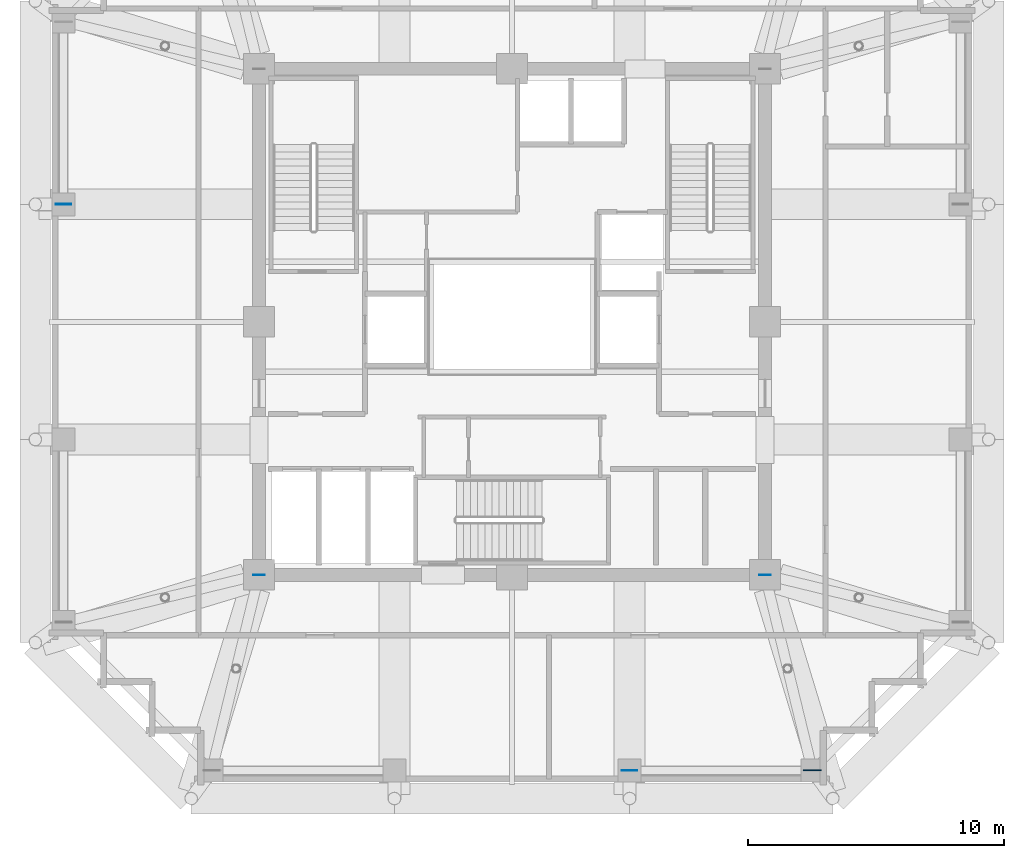
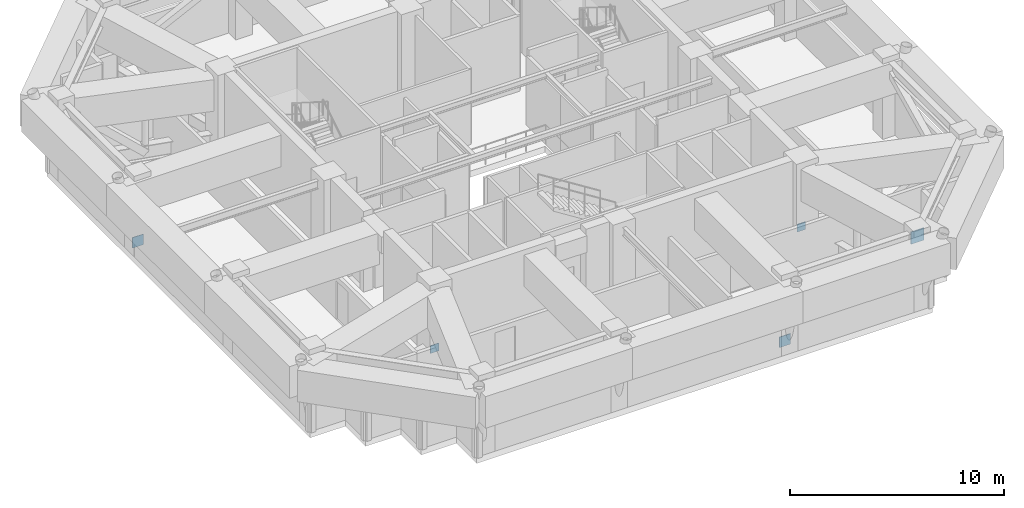
# One storey, part 7 of 12: 5 plates.
"""IFC4 building model written with IfcOpenShell, lengths in metres."""

from ifc_helpers import new_model, si_unit, direction, frame, origin, origin_2d, place, context, subcontext, project, spatial, rectangle, extrude, material, layer, layer_set, type_object, element, save


model = new_model("IFC4")

# Units and contexts
model_context = context("Model", 3, precision=1e-05, world=origin(), true_north=direction((0.0, 1.0)))
body_context = subcontext(model_context, "Body", "Model", "MODEL_VIEW")
ifc_project = project(units=[si_unit("LENGTHUNIT", "METRE"), si_unit("AREAUNIT", "SQUARE_METRE"), si_unit("VOLUMEUNIT", "CUBIC_METRE"), si_unit("PLANEANGLEUNIT", "RADIAN"), si_unit("MASSUNIT", "GRAM", prefix="KILO")], contexts=[model_context])

# Site, building, storey
site_placement = place(None, origin())
site = spatial("IfcSite", under=ifc_project, at=site_placement, CompositionType="ELEMENT")
building_placement = place(site_placement, origin())
building = spatial("IfcBuilding", under=site, at=building_placement, Name="Kolvaren Belvedere", CompositionType="ELEMENT")
storey_placement = place(building_placement, frame((0.0, 0.0, 148.10009765625)))
storey = spatial("IfcBuildingStorey", under=building, at=storey_placement, Name="L43", CompositionType="ELEMENT", Elevation=148.10009765625)

# Plates
ifc_material_1 = material(Name="Structural steel ASTM A572 Grade 50", Category="steel")
ifc_layer_1 = layer(ifc_material_1, 0.02490234375)
ifc_layer_set_1 = layer_set([ifc_layer_1], Name="Structural steel ASTM A572 Grade 50")
plate_type_1 = type_object("IfcPlateType", Name="PL-GUSSET-25", PredefinedType="USERDEFINED", material=ifc_layer_set_1)
for number, where, z_axis, x_axis, name in (
    (1, (-9.89990234375, -9.89990234375, 0.2548828125), (0.0, 0.0, 1.0), (1.0, 0.0, 0.0), "L43 Outrigger Node Cap Gusset OC-CC1"),
    (2, (9.89990234375, -9.89990234375, 0.2548828125), (0.0, 0.0, 1.0), (1.0, 0.0, 0.0), "L43 Outrigger Node Cap Gusset OC-CC2"),
):
    element("IfcPlate", number, at=place(storey_placement, frame(where, z_axis=z_axis, x_axis=x_axis)), inside=storey, type_object=plate_type_1, Name=name, ObjectType="GUSSET PLATE", PredefinedType="USERDEFINED", context=body_context, shape_type="SweptSolid", body=[
        extrude(rectangle(XDim=0.449951171875, YDim=0.02490234375, at=origin_2d()), origin(), (0.0, 0.0, 1.0), 0.449951171875),
    ])
ifc_material_2 = material(Name="Structural steel ASTM A572 Grade 50", Category="steel")
ifc_layer_2 = layer(ifc_material_2, 0.031982421875)
ifc_layer_set_2 = layer_set([ifc_layer_2], Name="Structural steel ASTM A572 Grade 50")
plate_type_2 = type_object("IfcPlateType", Name="PL-GUSSET-32", PredefinedType="USERDEFINED", material=ifc_layer_set_2)
for number, where, z_axis, x_axis, name in (
    (3, (4.60009765625, -17.550048828125, 0.179931640625), (0.0, 0.0, 1.0), (1.0, 0.0, 0.0), "L43 Belt Truss Node Gusset BN-2"),
    (4, (-17.550048828125, 4.60009765625, 0.179931640625), (0.0, 0.0, 1.0), (1.0, 0.0, 0.0), "L43 Belt Truss Node Gusset BN-6"),
):
    element("IfcPlate", number, at=place(storey_placement, frame(where, z_axis=z_axis, x_axis=x_axis)), inside=storey, type_object=plate_type_2, Name=name, ObjectType="GUSSET PLATE", PredefinedType="USERDEFINED", context=body_context, shape_type="SweptSolid", body=[
        extrude(rectangle(XDim=0.60009765625, YDim=0.031982421875, at=origin_2d()), origin(), (0.0, 0.0, 1.0), 0.60009765625),
    ])
ifc_material_3 = material(Name="Structural steel ASTM A572 Grade 50", Category="steel")
ifc_layer_3 = layer(ifc_material_3, 0.0400390625)
ifc_layer_set_3 = layer_set([ifc_layer_3], Name="Structural steel ASTM A572 Grade 50")
plate_type_3 = type_object("IfcPlateType", Name="PL-GUSSET-40", PredefinedType="USERDEFINED", material=ifc_layer_set_3)
plate_placement = place(storey_placement, frame((11.75, -17.550048828125, 3.60009765625), z_axis=(0.0, 0.0, 1.0), x_axis=(1.0, 0.0, 0.0)))
element("IfcPlate", 5, at=plate_placement, inside=storey, type_object=plate_type_3, Name="L43 Outrigger Truss Node Gusset ON-3", ObjectType="GUSSET PLATE", PredefinedType="USERDEFINED", context=body_context, shape_type="SweptSolid", body=[
    extrude(rectangle(XDim=0.699951171875, YDim=0.0400390625, at=origin_2d()), origin(), (0.0, 0.0, 1.0), 0.699951171875),
])

save(model, "model.ifc")
